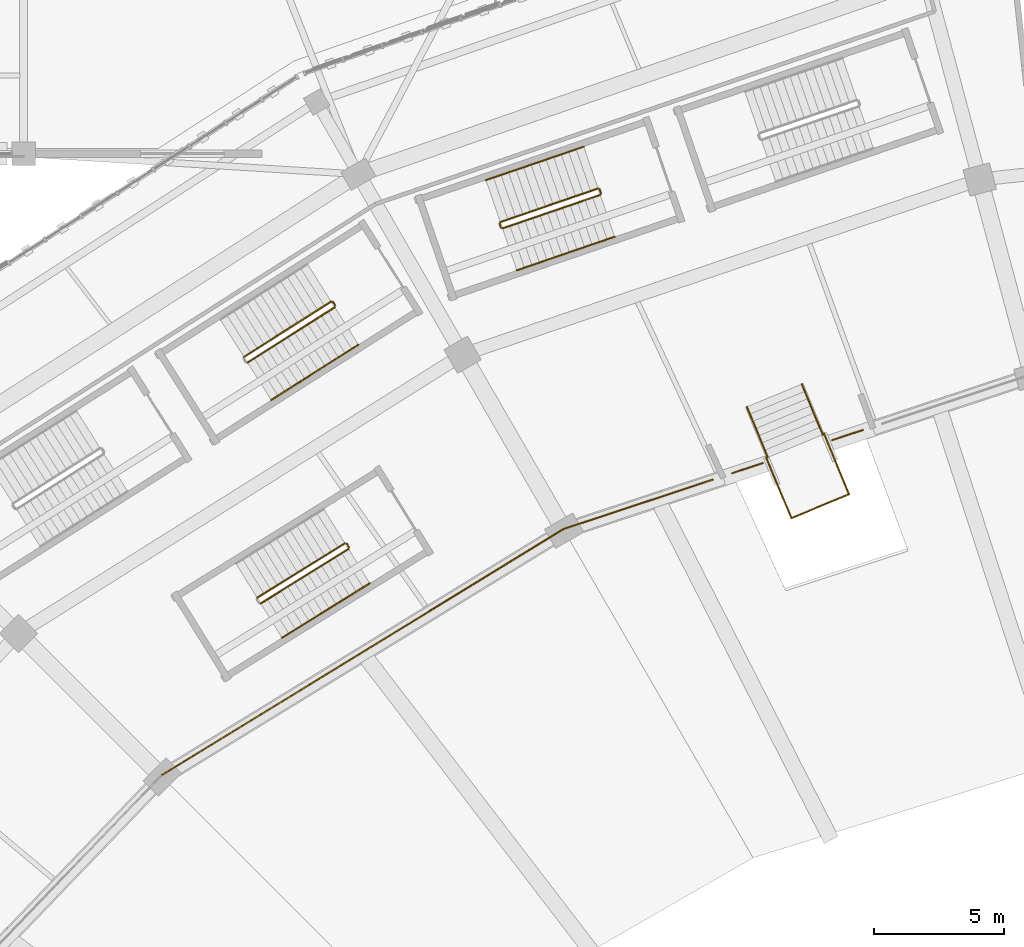
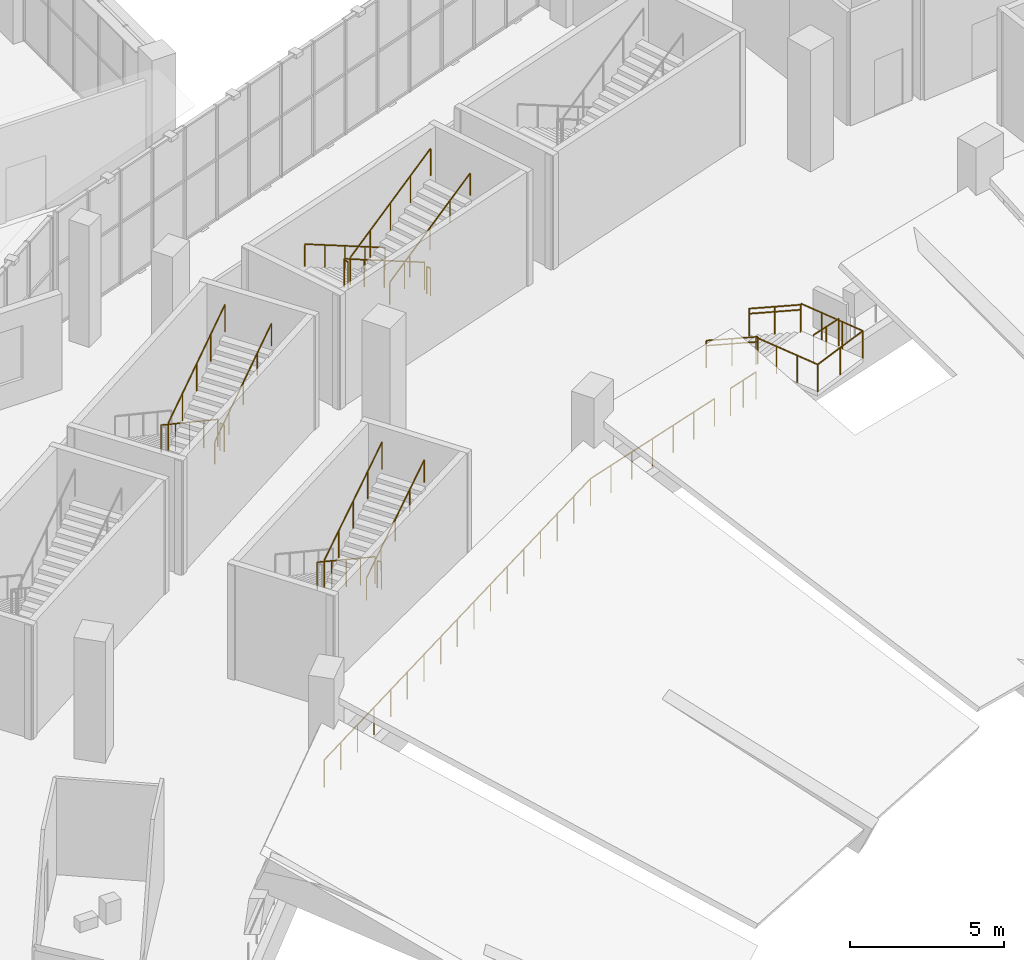
# One storey, part 165 of 183: 25 railings.
"""IFC4 building model written with IfcOpenShell, lengths in metres."""

from ifc_helpers import new_model, si_unit, direction, frame, origin, origin_2d, place, context, subcontext, project, spatial, circle, extrude, material, type_object, element, save


model = new_model("IFC4")

# Units and contexts
model_context = context("Model", 3, precision=1e-05, world=origin(), true_north=direction((0.0, 1.0)))
body_context = subcontext(model_context, "Body", "Model", "MODEL_VIEW")
ifc_project = project(units=[si_unit("LENGTHUNIT", "METRE"), si_unit("AREAUNIT", "SQUARE_METRE"), si_unit("VOLUMEUNIT", "CUBIC_METRE"), si_unit("PLANEANGLEUNIT", "RADIAN"), si_unit("MASSUNIT", "GRAM", prefix="KILO")], contexts=[model_context])

# Site, building, storey
site_placement = place(None, origin())
site = spatial("IfcSite", under=ifc_project, at=site_placement, CompositionType="ELEMENT")
building_placement = place(site_placement, origin())
building = spatial("IfcBuilding", under=site, at=building_placement, Name="Zevraka Park Crest Stadium", CompositionType="ELEMENT")
storey_placement = place(building_placement, frame((0.0, 0.0, 5.39990234375)))
storey = spatial("IfcBuildingStorey", under=building, at=storey_placement, Name="L01", CompositionType="ELEMENT", Elevation=5.39990234375)

# Railings
ifc_material_1 = material(Name="Galvanised and bronze-finished steel balustrade", Category="steel")
railing_type_1 = type_object("IfcRailingType", Name="GR01", PredefinedType="GUARDRAIL", material=ifc_material_1)
railing_1_placement = place(storey_placement, frame((86.214111328125, 147.39501953125, 0.0)))
element("IfcRailing", 1, at=railing_1_placement, inside=storey, type_object=railing_type_1, Name="Deck Edge Protection Guardrail GR01 L01-90", PredefinedType="GUARDRAIL", context=body_context, shape_type="SweptSolid", body=[
    extrude(circle(Radius=0.02392578125, at=origin_2d()), frame((0.0, 0.0, 1.076171875), z_axis=(-0.94950930185, -0.313738881397, 0.0), x_axis=(0.313738881397, -0.94950930185, 0.0)), (0.0, 0.0, 1.0), 1.236572265625),
    extrude(circle(Radius=0.02099609375, at=origin_2d()), origin(), (0.0, 0.0, 1.0), 1.052001953125),
    extrude(circle(Radius=0.02099609375, at=origin_2d()), frame((-0.5869140625, -0.19384765625, 0.0)), (0.0, 0.0, 1.0), 1.052001953125),
    extrude(circle(Radius=0.02099609375, at=origin_2d()), frame((-1.174072265625, -0.387939453125, 0.0)), (0.0, 0.0, 1.0), 1.052001953125),
])
railing_2_placement = place(storey_placement, frame((82.375, 146.125, 0.0)))
element("IfcRailing", 2, at=railing_2_placement, inside=storey, type_object=railing_type_1, Name="Deck Edge Protection Guardrail GR01 L01-91", PredefinedType="GUARDRAIL", context=body_context, shape_type="SweptSolid", body=[
    extrude(circle(Radius=0.02392578125, at=origin_2d()), frame((0.0, 0.0, 1.076171875), z_axis=(-0.94943147493, -0.313974321262, 0.0), x_axis=(0.313974321262, -0.94943147493, 0.0)), (0.0, 0.0, 1.0), 1.235595703125),
    extrude(circle(Radius=0.02099609375, at=origin_2d()), origin(), (0.0, 0.0, 1.0), 1.052001953125),
    extrude(circle(Radius=0.02099609375, at=origin_2d()), frame((-0.58642578125, -0.19384765625, 0.0)), (0.0, 0.0, 1.0), 1.052001953125),
    extrude(circle(Radius=0.02099609375, at=origin_2d()), frame((-1.173095703125, -0.387939453125, 0.0)), (0.0, 0.0, 1.0), 1.052001953125),
])
railing_3_placement = place(storey_placement, frame((80.45703125, 145.490966796875, 0.0)))
element("IfcRailing", 3, at=railing_3_placement, inside=storey, type_object=railing_type_1, Name="Deck Edge Protection Guardrail GR01 L01-92", PredefinedType="GUARDRAIL", context=body_context, shape_type="SweptSolid", body=[
    extrude(circle(Radius=0.02392578125, at=origin_2d()), frame((0.0, 0.0, 1.076171875), z_axis=(-0.949242415269, -0.314545445134, 0.0), x_axis=(0.314545445134, -0.949242415269, 0.0)), (0.0, 0.0, 1.0), 6.053466796875),
    extrude(circle(Radius=0.02099609375, at=origin_2d()), origin(), (0.0, 0.0, 1.0), 1.052001953125),
    extrude(circle(Radius=0.02099609375, at=origin_2d()), frame((-0.957763671875, -0.3173828125, 0.0)), (0.0, 0.0, 1.0), 1.052001953125),
    extrude(circle(Radius=0.02099609375, at=origin_2d()), frame((-1.915283203125, -0.634765625, 0.0)), (0.0, 0.0, 1.0), 1.052001953125),
    extrude(circle(Radius=0.02099609375, at=origin_2d()), frame((-2.873046875, -0.9521484375, 0.0)), (0.0, 0.0, 1.0), 1.052001953125),
    extrude(circle(Radius=0.02099609375, at=origin_2d()), frame((-3.830810546875, -1.269287109375, 0.0)), (0.0, 0.0, 1.0), 1.052001953125),
    extrude(circle(Radius=0.02099609375, at=origin_2d()), frame((-4.788330078125, -1.586669921875, 0.0)), (0.0, 0.0, 1.0), 1.052001953125),
    extrude(circle(Radius=0.02099609375, at=origin_2d()), frame((-5.74609375, -1.904052734375, 0.0)), (0.0, 0.0, 1.0), 1.052001953125),
])
railing_4_placement = place(storey_placement, frame((74.7109375, 143.5869140625, 0.0)))
element("IfcRailing", 4, at=railing_4_placement, inside=storey, type_object=railing_type_1, Name="Deck Edge Protection Guardrail GR01 L01-93", PredefinedType="GUARDRAIL", context=body_context, shape_type="SweptSolid", body=[
    extrude(circle(Radius=0.02392578125, at=origin_2d()), frame((0.0, 0.0, 1.076171875), z_axis=(-0.852607262071, -0.522552252569, 0.0), x_axis=(0.522552252569, -0.852607262071, 0.0)), (0.0, 0.0, 1.0), 18.099609375),
    extrude(circle(Radius=0.02099609375, at=origin_2d()), origin(), (0.0, 0.0, 1.0), 1.052001953125),
    extrude(circle(Radius=0.02099609375, at=origin_2d()), frame((-0.964599609375, -0.591064453125, 0.0)), (0.0, 0.0, 1.0), 1.052001953125),
    extrude(circle(Radius=0.02099609375, at=origin_2d()), frame((-1.928955078125, -1.18212890625, 0.0)), (0.0, 0.0, 1.0), 1.052001953125),
    extrude(circle(Radius=0.02099609375, at=origin_2d()), frame((-2.8935546875, -1.7734375, 0.0)), (0.0, 0.0, 1.0), 1.052001953125),
    extrude(circle(Radius=0.02099609375, at=origin_2d()), frame((-3.85791015625, -2.364501953125, 0.0)), (0.0, 0.0, 1.0), 1.052001953125),
    extrude(circle(Radius=0.02099609375, at=origin_2d()), frame((-4.822509765625, -2.95556640625, 0.0)), (0.0, 0.0, 1.0), 1.052001953125),
    extrude(circle(Radius=0.02099609375, at=origin_2d()), frame((-5.786865234375, -3.546875, 0.0)), (0.0, 0.0, 1.0), 1.052001953125),
    extrude(circle(Radius=0.02099609375, at=origin_2d()), frame((-6.75146484375, -4.137939453125, 0.0)), (0.0, 0.0, 1.0), 1.052001953125),
    extrude(circle(Radius=0.02099609375, at=origin_2d()), frame((-7.7158203125, -4.72900390625, 0.0)), (0.0, 0.0, 1.0), 1.052001953125),
    extrude(circle(Radius=0.02099609375, at=origin_2d()), frame((-8.680419921875, -5.320068359375, 0.0)), (0.0, 0.0, 1.0), 1.052001953125),
    extrude(circle(Radius=0.02099609375, at=origin_2d()), frame((-9.64501953125, -5.9111328125, 0.0)), (0.0, 0.0, 1.0), 1.052001953125),
    extrude(circle(Radius=0.02099609375, at=origin_2d()), frame((-10.609375, -6.50244140625, 0.0)), (0.0, 0.0, 1.0), 1.052001953125),
    extrude(circle(Radius=0.02099609375, at=origin_2d()), frame((-11.573974609375, -7.093505859375, 0.0)), (0.0, 0.0, 1.0), 1.052001953125),
    extrude(circle(Radius=0.02099609375, at=origin_2d()), frame((-12.538330078125, -7.6845703125, 0.0)), (0.0, 0.0, 1.0), 1.052001953125),
    extrude(circle(Radius=0.02099609375, at=origin_2d()), frame((-13.5029296875, -8.27587890625, 0.0)), (0.0, 0.0, 1.0), 1.052001953125),
    extrude(circle(Radius=0.02099609375, at=origin_2d()), frame((-14.46728515625, -8.866943359375, 0.0)), (0.0, 0.0, 1.0), 1.052001953125),
    extrude(circle(Radius=0.02099609375, at=origin_2d()), frame((-15.431884765625, -9.4580078125, 0.0)), (0.0, 0.0, 1.0), 1.052001953125),
])
ifc_material_2 = material(Name="Powder-coated tubular steel stairwell guard", Category="steel")
railing_type_2 = type_object("IfcRailingType", Name="GR03", PredefinedType="GUARDRAIL", material=ifc_material_2)
railing_5_placement = place(storey_placement, frame((65.805419921875, 152.324951171875, 0.171630859375)))
element("IfcRailing", 5, at=railing_5_placement, inside=storey, type_object=railing_type_2, Name="L01 ST09 stair guard 1", PredefinedType="GUARDRAIL", context=body_context, shape_type="SweptSolid", body=[
    extrude(circle(Radius=0.02392578125, at=origin_2d()), frame((0.0, 0.0, 1.076171875), z_axis=(-0.736092217986, -0.467002282249, 0.489976647398), x_axis=(0.535715535947, -0.844398522349, 0.0)), (0.0, 0.0, 1.0), 4.548095703125),
    extrude(circle(Radius=0.02099609375, at=origin_2d()), origin(), (0.0, 0.0, 1.0), 1.052001953125),
    extrude(circle(Radius=0.02099609375, at=origin_2d()), frame((-0.8369140625, -0.531005859375, 0.55712890625)), (0.0, 0.0, 1.0), 1.052001953125),
    extrude(circle(Radius=0.02099609375, at=origin_2d()), frame((-1.673828125, -1.06201171875, 1.1142578125)), (0.0, 0.0, 1.0), 1.052001953125),
    extrude(circle(Radius=0.02099609375, at=origin_2d()), frame((-2.510986328125, -1.593017578125, 1.67138671875)), (0.0, 0.0, 1.0), 1.052001953125),
    extrude(circle(Radius=0.02099609375, at=origin_2d()), frame((-3.347900390625, -2.1240234375, 2.228515625)), (0.0, 0.0, 1.0), 1.052001953125),
])
railing_6_placement = place(storey_placement, frame((62.5966796875, 149.9814453125, 2.571533203125)))
element("IfcRailing", 6, at=railing_6_placement, inside=storey, type_object=railing_type_2, Name="L01 ST09 stair guard 3", PredefinedType="GUARDRAIL", context=body_context, shape_type="SweptSolid", body=[
    extrude(circle(Radius=0.02392578125, at=origin_2d()), frame((0.0, 0.0, 1.076171875), z_axis=(0.736116810277, 0.466983830349, 0.48995728775), x_axis=(-0.535687682518, 0.84441619288, 0.0)), (0.0, 0.0, 1.0), 4.54833984375),
    extrude(circle(Radius=0.02099609375, at=origin_2d()), origin(), (0.0, 0.0, 1.0), 1.052001953125),
    extrude(circle(Radius=0.02099609375, at=origin_2d()), frame((0.8369140625, 0.531005859375, 0.55712890625)), (0.0, 0.0, 1.0), 1.052001953125),
    extrude(circle(Radius=0.02099609375, at=origin_2d()), frame((1.674072265625, 1.06201171875, 1.1142578125)), (0.0, 0.0, 1.0), 1.052001953125),
    extrude(circle(Radius=0.02099609375, at=origin_2d()), frame((2.51123046875, 1.593017578125, 1.67138671875)), (0.0, 0.0, 1.0), 1.052001953125),
    extrude(circle(Radius=0.02099609375, at=origin_2d()), frame((3.34814453125, 2.1240234375, 2.228515625)), (0.0, 0.0, 1.0), 1.052001953125),
])
railing_7_placement = place(storey_placement, frame((65.87451171875, 152.3095703125, 0.0)))
element("IfcRailing", 7, at=railing_7_placement, inside=storey, type_object=railing_type_2, Name="L01 ST09 stair guard 4", PredefinedType="GUARDRAIL", context=body_context, shape_type="SweptSolid", body=[
    extrude(circle(Radius=0.02392578125, at=origin_2d()), frame((0.0, 0.0, 1.076171875), z_axis=(0.535887230789, -0.844289568736, 0.0), x_axis=(0.844289568736, 0.535887230789, 0.0)), (0.0, 0.0, 1.0), 0.159912109375),
    extrude(circle(Radius=0.02099609375, at=origin_2d()), origin(), (0.0, 0.0, 1.0), 1.052001953125),
    extrude(circle(Radius=0.02099609375, at=origin_2d()), frame((0.085693359375, -0.135009765625, 0.0)), (0.0, 0.0, 1.0), 1.052001953125),
])
railing_8_placement = place(storey_placement, frame((76.0498046875, 156.662353515625, 0.171630859375)))
element("IfcRailing", 8, at=railing_8_placement, inside=storey, type_object=railing_type_2, Name="L01 ST27 stair guard 1", PredefinedType="GUARDRAIL", context=body_context, shape_type="SweptSolid", body=[
    extrude(circle(Radius=0.02392578125, at=origin_2d()), frame((0.0, 0.0, 1.076171875), z_axis=(-0.824739296281, -0.282392023283, 0.489959017016), x_axis=(0.323938619155, -0.946078099852, 0.0)), (0.0, 0.0, 1.0), 4.54833984375),
    extrude(circle(Radius=0.02099609375, at=origin_2d()), origin(), (0.0, 0.0, 1.0), 1.052001953125),
    extrude(circle(Radius=0.02099609375, at=origin_2d()), frame((-0.937744140625, -0.321044921875, 0.55712890625)), (0.0, 0.0, 1.0), 1.052001953125),
    extrude(circle(Radius=0.02099609375, at=origin_2d()), frame((-1.87548828125, -0.64208984375, 1.1142578125)), (0.0, 0.0, 1.0), 1.052001953125),
    extrude(circle(Radius=0.02099609375, at=origin_2d()), frame((-2.8134765625, -0.96337890625, 1.67138671875)), (0.0, 0.0, 1.0), 1.052001953125),
    extrude(circle(Radius=0.02099609375, at=origin_2d()), frame((-3.751220703125, -1.284423828125, 2.228515625)), (0.0, 0.0, 1.0), 1.052001953125),
])
railing_9_placement = place(storey_placement, frame((72.267578125, 155.314453125, 2.400146484375)))
element("IfcRailing", 9, at=railing_9_placement, inside=storey, type_object=railing_type_2, Name="L01 ST27 stair guard 2", PredefinedType="GUARDRAIL", context=body_context, shape_type="SweptSolid", body=[
    extrude(circle(Radius=0.02392578125, at=origin_2d()), frame((0.0, 0.0, 1.076171875), z_axis=(0.32354385955, -0.946213174156, 0.0), x_axis=(0.946213174156, 0.32354385955, 0.0)), (0.0, 0.0, 1.0), 0.159912109375),
    extrude(circle(Radius=0.02099609375, at=origin_2d()), origin(), (0.0, 0.0, 1.0), 1.052001953125),
    extrude(circle(Radius=0.02099609375, at=origin_2d()), frame((0.0517578125, -0.1513671875, 0.0)), (0.0, 0.0, 1.0), 1.052001953125),
])
railing_10_placement = place(storey_placement, frame((72.3828125, 155.1318359375, 2.571533203125)))
element("IfcRailing", 10, at=railing_10_placement, inside=storey, type_object=railing_type_2, Name="L01 ST27 stair guard 3", PredefinedType="GUARDRAIL", context=body_context, shape_type="SweptSolid", body=[
    extrude(circle(Radius=0.02392578125, at=origin_2d()), frame((0.0, 0.0, 1.076171875), z_axis=(0.824726794133, 0.282441418206, 0.489951589772), x_axis=(-0.32399372979, 0.946059228091, 0.0)), (0.0, 0.0, 1.0), 4.54833984375),
    extrude(circle(Radius=0.02099609375, at=origin_2d()), origin(), (0.0, 0.0, 1.0), 1.052001953125),
    extrude(circle(Radius=0.02099609375, at=origin_2d()), frame((0.937744140625, 0.3212890625, 0.55712890625)), (0.0, 0.0, 1.0), 1.052001953125),
    extrude(circle(Radius=0.02099609375, at=origin_2d()), frame((1.87548828125, 0.642333984375, 1.1142578125)), (0.0, 0.0, 1.0), 1.052001953125),
    extrude(circle(Radius=0.02099609375, at=origin_2d()), frame((2.8134765625, 0.96337890625, 1.67138671875)), (0.0, 0.0, 1.0), 1.052001953125),
    extrude(circle(Radius=0.02099609375, at=origin_2d()), frame((3.751220703125, 1.28466796875, 2.228515625)), (0.0, 0.0, 1.0), 1.052001953125),
])
railing_11_placement = place(storey_placement, frame((76.11328125, 156.63134765625, 0.0)))
element("IfcRailing", 11, at=railing_11_placement, inside=storey, type_object=railing_type_2, Name="L01 ST27 stair guard 4", PredefinedType="GUARDRAIL", context=body_context, shape_type="SweptSolid", body=[
    extrude(circle(Radius=0.02392578125, at=origin_2d()), frame((0.0, 0.0, 1.076171875), z_axis=(0.32354385955, -0.946213174156, 0.0), x_axis=(0.946213174156, 0.32354385955, 0.0)), (0.0, 0.0, 1.0), 0.159912109375),
    extrude(circle(Radius=0.02099609375, at=origin_2d()), origin(), (0.0, 0.0, 1.0), 1.052001953125),
    extrude(circle(Radius=0.02099609375, at=origin_2d()), frame((0.0517578125, -0.1513671875, 0.0)), (0.0, 0.0, 1.0), 1.052001953125),
])
railing_12_placement = place(storey_placement, frame((66.333984375, 143.047607421875, 0.171630859375)))
element("IfcRailing", 12, at=railing_12_placement, inside=storey, type_object=railing_type_2, Name="L01 ST37 stair guard 1", PredefinedType="GUARDRAIL", context=body_context, shape_type="SweptSolid", body=[
    extrude(circle(Radius=0.02392578125, at=origin_2d()), frame((0.0, 0.0, 1.076171875), z_axis=(-0.740731720597, -0.459629400252, 0.489956459827), x_axis=(0.527250968468, -0.849709607013, 0.0)), (0.0, 0.0, 1.0), 4.54833984375),
    extrude(circle(Radius=0.02099609375, at=origin_2d()), origin(), (0.0, 0.0, 1.0), 1.052001953125),
    extrude(circle(Radius=0.02099609375, at=origin_2d()), frame((-0.84228515625, -0.522705078125, 0.55712890625)), (0.0, 0.0, 1.0), 1.052001953125),
    extrude(circle(Radius=0.02099609375, at=origin_2d()), frame((-1.6845703125, -1.04541015625, 1.1142578125)), (0.0, 0.0, 1.0), 1.052001953125),
    extrude(circle(Radius=0.02099609375, at=origin_2d()), frame((-2.52685546875, -1.56787109375, 1.67138671875)), (0.0, 0.0, 1.0), 1.052001953125),
    extrude(circle(Radius=0.02099609375, at=origin_2d()), frame((-3.369140625, -2.090576171875, 2.228515625)), (0.0, 0.0, 1.0), 1.052001953125),
])
railing_13_placement = place(storey_placement, frame((63.10205078125, 140.736083984375, 2.571533203125)))
element("IfcRailing", 13, at=railing_13_placement, inside=storey, type_object=railing_type_2, Name="L01 ST37 stair guard 3", PredefinedType="GUARDRAIL", context=body_context, shape_type="SweptSolid", body=[
    extrude(circle(Radius=0.02392578125, at=origin_2d()), frame((0.0, 0.0, 1.076171875), z_axis=(0.740707494191, 0.459647675394, 0.489975940791), x_axis=(-0.527278555037, 0.849692488726, 0.0)), (0.0, 0.0, 1.0), 4.548095703125),
    extrude(circle(Radius=0.02099609375, at=origin_2d()), origin(), (0.0, 0.0, 1.0), 1.052001953125),
    extrude(circle(Radius=0.02099609375, at=origin_2d()), frame((0.84228515625, 0.522705078125, 0.55712890625)), (0.0, 0.0, 1.0), 1.052001953125),
    extrude(circle(Radius=0.02099609375, at=origin_2d()), frame((1.6845703125, 1.04541015625, 1.1142578125)), (0.0, 0.0, 1.0), 1.052001953125),
    extrude(circle(Radius=0.02099609375, at=origin_2d()), frame((2.526611328125, 1.56787109375, 1.67138671875)), (0.0, 0.0, 1.0), 1.052001953125),
    extrude(circle(Radius=0.02099609375, at=origin_2d()), frame((3.368896484375, 2.090576171875, 2.228515625)), (0.0, 0.0, 1.0), 1.052001953125),
])
railing_14_placement = place(storey_placement, frame((66.40283203125, 143.031494140625, 0.0)))
element("IfcRailing", 14, at=railing_14_placement, inside=storey, type_object=railing_type_2, Name="L01 ST37 stair guard 4", PredefinedType="GUARDRAIL", context=body_context, shape_type="SweptSolid", body=[
    extrude(circle(Radius=0.02392578125, at=origin_2d()), frame((0.0, 0.0, 1.076171875), z_axis=(0.526564774069, -0.850135012048, 0.0), x_axis=(0.850135012048, 0.526564774069, 0.0)), (0.0, 0.0, 1.0), 0.159912109375),
    extrude(circle(Radius=0.02099609375, at=origin_2d()), origin(), (0.0, 0.0, 1.0), 1.052001953125),
    extrude(circle(Radius=0.02099609375, at=origin_2d()), frame((0.084228515625, -0.135986328125, 0.0)), (0.0, 0.0, 1.0), 1.052001953125),
])
railing_15_placement = place(storey_placement, frame((81.762939453125, 148.281982421875, 0.150146484375)))
element("IfcRailing", 15, at=railing_15_placement, inside=storey, type_object=railing_type_2, Name="Vomitory Flight Guard VS-03-1", PredefinedType="GUARDRAIL", context=body_context, shape_type="SweptSolid", body=[
    extrude(circle(Radius=0.02392578125, at=origin_2d()), frame((0.0, 0.0, 1.076171875), z_axis=(0.342057079019, -0.826386606837, 0.447305411025), x_axis=(0.923975744762, 0.382451072807, 0.0)), (0.0, 0.0, 1.0), 2.347412109375),
    extrude(circle(Radius=0.02099609375, at=origin_2d()), origin(), (0.0, 0.0, 1.0), 1.052001953125),
    extrude(circle(Radius=0.02099609375, at=origin_2d()), frame((0.4013671875, -0.969970703125, 0.52490234375)), (0.0, 0.0, 1.0), 1.052001953125),
    extrude(circle(Radius=0.02099609375, at=origin_2d()), frame((0.802978515625, -1.93994140625, 1.050048828125)), (0.0, 0.0, 1.0), 1.052001953125),
])
railing_16_placement = place(storey_placement, frame((83.868896484375, 149.154052734375, 0.150146484375)))
element("IfcRailing", 16, at=railing_16_placement, inside=storey, type_object=railing_type_2, Name="Vomitory Flight Guard VS-03-2", PredefinedType="GUARDRAIL", context=body_context, shape_type="SweptSolid", body=[
    extrude(circle(Radius=0.02392578125, at=origin_2d()), frame((0.0, 0.0, 1.076171875), z_axis=(0.342516116352, -0.826239544789, 0.447225809481), x_axis=(0.92377020137, 0.382947274517, 0.0)), (0.0, 0.0, 1.0), 2.347900390625),
    extrude(circle(Radius=0.02099609375, at=origin_2d()), origin(), (0.0, 0.0, 1.0), 1.052001953125),
    extrude(circle(Radius=0.02099609375, at=origin_2d()), frame((0.402099609375, -0.969970703125, 0.52490234375)), (0.0, 0.0, 1.0), 1.052001953125),
    extrude(circle(Radius=0.02099609375, at=origin_2d()), frame((0.80419921875, -1.93994140625, 1.050048828125)), (0.0, 0.0, 1.0), 1.052001953125),
])
railing_17_placement = place(storey_placement, frame((82.5009765625, 146.342041015625, 1.2001953125)))
element("IfcRailing", 17, at=railing_17_placement, inside=storey, type_object=railing_type_2, Name="Vomitory Landing Guard VS-03-1", PredefinedType="GUARDRAIL", context=body_context, shape_type="SweptSolid", body=[
    extrude(circle(Radius=0.02392578125, at=origin_2d()), frame((0.0, 0.0, 1.076171875), z_axis=(0.382912412057, -0.923784652769, 0.0), x_axis=(0.923784652769, 0.382912412057, 0.0)), (0.0, 0.0, 1.0), 2.525390625),
    extrude(circle(Radius=0.02099609375, at=origin_2d()), origin(), (0.0, 0.0, 1.0), 1.052001953125),
    extrude(circle(Radius=0.02099609375, at=origin_2d()), frame((0.322265625, -0.777587890625, 0.0)), (0.0, 0.0, 1.0), 1.052001953125),
    extrude(circle(Radius=0.02099609375, at=origin_2d()), frame((0.644775390625, -1.555419921875, 0.0)), (0.0, 0.0, 1.0), 1.052001953125),
    extrude(circle(Radius=0.02099609375, at=origin_2d()), frame((0.967041015625, -2.3330078125, 0.0)), (0.0, 0.0, 1.0), 1.052001953125),
])
railing_18_placement = place(storey_placement, frame((83.468017578125, 144.009033203125, 1.2001953125)))
element("IfcRailing", 18, at=railing_18_placement, inside=storey, type_object=railing_type_2, Name="Vomitory Landing Guard VS-03-2", PredefinedType="GUARDRAIL", context=body_context, shape_type="SweptSolid", body=[
    extrude(circle(Radius=0.02392578125, at=origin_2d()), frame((0.0, 0.0, 1.076171875), z_axis=(0.923932522988, 0.382555476978, 0.0), x_axis=(-0.382555476978, 0.923932522988, 0.0)), (0.0, 0.0, 1.0), 2.399658203125),
    extrude(circle(Radius=0.02099609375, at=origin_2d()), origin(), (0.0, 0.0, 1.0), 1.052001953125),
    extrude(circle(Radius=0.02099609375, at=origin_2d()), frame((1.1083984375, 0.458984375, 0.0)), (0.0, 0.0, 1.0), 1.052001953125),
    extrude(circle(Radius=0.02099609375, at=origin_2d()), frame((2.217041015625, 0.91796875, 0.0)), (0.0, 0.0, 1.0), 1.052001953125),
])
railing_19_placement = place(storey_placement, frame((85.68505859375, 144.927001953125, 1.2001953125)))
element("IfcRailing", 19, at=railing_19_placement, inside=storey, type_object=railing_type_2, Name="Vomitory Landing Guard VS-03-3", PredefinedType="GUARDRAIL", context=body_context, shape_type="SweptSolid", body=[
    extrude(circle(Radius=0.02392578125, at=origin_2d()), frame((0.0, 0.0, 1.076171875), z_axis=(-0.382582352346, 0.923921394748, 0.0), x_axis=(-0.923921394748, -0.382582352346, 0.0)), (0.0, 0.0, 1.0), 2.525146484375),
    extrude(circle(Radius=0.02099609375, at=origin_2d()), origin(), (0.0, 0.0, 1.0), 1.052001953125),
    extrude(circle(Radius=0.02099609375, at=origin_2d()), frame((-0.322021484375, 0.777587890625, 0.0)), (0.0, 0.0, 1.0), 1.052001953125),
    extrude(circle(Radius=0.02099609375, at=origin_2d()), frame((-0.64404296875, 1.555419921875, 0.0)), (0.0, 0.0, 1.0), 1.052001953125),
    extrude(circle(Radius=0.02099609375, at=origin_2d()), frame((-0.966064453125, 2.3330078125, 0.0)), (0.0, 0.0, 1.0), 1.052001953125),
])
ifc_material_3 = material(Name="Brushed stainless steel continuous handrail", Category="steel")
railing_type_3 = type_object("IfcRailingType", Name="HR01", PredefinedType="HANDRAIL", material=ifc_material_3)
railing_20_placement = place(storey_placement, frame((63.507568359375, 148.5458984375, 2.571533203125)))
element("IfcRailing", 20, at=railing_20_placement, inside=storey, type_object=railing_type_3, Name="L01 ST09 stair handrail 2", PredefinedType="HANDRAIL", context=body_context, shape_type="SweptSolid", body=[
    extrude(circle(Radius=0.02392578125, at=origin_2d()), frame((0.0, 0.0, 0.8759765625), z_axis=(0.736092217986, 0.467002282249, 0.489976647398), x_axis=(-0.535715535947, 0.844398522349, 0.0)), (0.0, 0.0, 1.0), 4.548095703125),
    extrude(circle(Radius=0.02099609375, at=origin_2d()), origin(), (0.0, 0.0, 1.0), 0.851806640625),
    extrude(circle(Radius=0.02099609375, at=origin_2d()), frame((0.8369140625, 0.531005859375, 0.55712890625)), (0.0, 0.0, 1.0), 0.851806640625),
    extrude(circle(Radius=0.02099609375, at=origin_2d()), frame((1.673828125, 1.06201171875, 1.1142578125)), (0.0, 0.0, 1.0), 0.851806640625),
    extrude(circle(Radius=0.02099609375, at=origin_2d()), frame((2.510986328125, 1.593017578125, 1.67138671875)), (0.0, 0.0, 1.0), 0.851806640625),
    extrude(circle(Radius=0.02099609375, at=origin_2d()), frame((3.347900390625, 2.1240234375, 2.228515625)), (0.0, 0.0, 1.0), 0.851806640625),
])
railing_21_placement = place(storey_placement, frame((75.4990234375, 158.270751953125, 0.171630859375)))
element("IfcRailing", 21, at=railing_21_placement, inside=storey, type_object=railing_type_3, Name="L01 ST27 stair handrail 1", PredefinedType="HANDRAIL", context=body_context, shape_type="SweptSolid", body=[
    extrude(circle(Radius=0.02392578125, at=origin_2d()), frame((0.0, 0.0, 0.8759765625), z_axis=(-0.824739296281, -0.282392023283, 0.489959017016), x_axis=(0.323938619155, -0.946078099852, 0.0)), (0.0, 0.0, 1.0), 4.54833984375),
    extrude(circle(Radius=0.02099609375, at=origin_2d()), origin(), (0.0, 0.0, 1.0), 0.851806640625),
    extrude(circle(Radius=0.02099609375, at=origin_2d()), frame((-0.937744140625, -0.321044921875, 0.55712890625)), (0.0, 0.0, 1.0), 0.851806640625),
    extrude(circle(Radius=0.02099609375, at=origin_2d()), frame((-1.87548828125, -0.64208984375, 1.1142578125)), (0.0, 0.0, 1.0), 0.851806640625),
    extrude(circle(Radius=0.02099609375, at=origin_2d()), frame((-2.8134765625, -0.96337890625, 1.67138671875)), (0.0, 0.0, 1.0), 0.851806640625),
    extrude(circle(Radius=0.02099609375, at=origin_2d()), frame((-3.751220703125, -1.284423828125, 2.228515625)), (0.0, 0.0, 1.0), 0.851806640625),
])
railing_22_placement = place(storey_placement, frame((72.93359375, 153.523681640625, 2.571533203125)))
element("IfcRailing", 22, at=railing_22_placement, inside=storey, type_object=railing_type_3, Name="L01 ST27 stair handrail 2", PredefinedType="HANDRAIL", context=body_context, shape_type="SweptSolid", body=[
    extrude(circle(Radius=0.02392578125, at=origin_2d()), frame((0.0, 0.0, 0.8759765625), z_axis=(0.824739296281, 0.282392023283, 0.489959017016), x_axis=(-0.323938619155, 0.946078099852, 0.0)), (0.0, 0.0, 1.0), 4.54833984375),
    extrude(circle(Radius=0.02099609375, at=origin_2d()), origin(), (0.0, 0.0, 1.0), 0.851806640625),
    extrude(circle(Radius=0.02099609375, at=origin_2d()), frame((0.937744140625, 0.321044921875, 0.55712890625)), (0.0, 0.0, 1.0), 0.851806640625),
    extrude(circle(Radius=0.02099609375, at=origin_2d()), frame((1.87548828125, 0.64208984375, 1.1142578125)), (0.0, 0.0, 1.0), 0.851806640625),
    extrude(circle(Radius=0.02099609375, at=origin_2d()), frame((2.8134765625, 0.96337890625, 1.67138671875)), (0.0, 0.0, 1.0), 0.851806640625),
    extrude(circle(Radius=0.02099609375, at=origin_2d()), frame((3.751220703125, 1.284423828125, 2.228515625)), (0.0, 0.0, 1.0), 0.851806640625),
])
railing_23_placement = place(storey_placement, frame((63.919189453125, 139.4189453125, 2.571533203125)))
element("IfcRailing", 23, at=railing_23_placement, inside=storey, type_object=railing_type_3, Name="L01 ST37 stair handrail 2", PredefinedType="HANDRAIL", context=body_context, shape_type="SweptSolid", body=[
    extrude(circle(Radius=0.02392578125, at=origin_2d()), frame((0.0, 0.0, 0.8759765625), z_axis=(0.740713445492, 0.459671735304, 0.489944371772), x_axis=(-0.527295422519, 0.849682021341, 0.0)), (0.0, 0.0, 1.0), 4.548583984375),
    extrude(circle(Radius=0.02099609375, at=origin_2d()), origin(), (0.0, 0.0, 1.0), 0.851806640625),
    extrude(circle(Radius=0.02099609375, at=origin_2d()), frame((0.84228515625, 0.522705078125, 0.55712890625)), (0.0, 0.0, 1.0), 0.851806640625),
    extrude(circle(Radius=0.02099609375, at=origin_2d()), frame((1.6845703125, 1.04541015625, 1.1142578125)), (0.0, 0.0, 1.0), 0.851806640625),
    extrude(circle(Radius=0.02099609375, at=origin_2d()), frame((2.52685546875, 1.568115234375, 1.67138671875)), (0.0, 0.0, 1.0), 0.851806640625),
    extrude(circle(Radius=0.02099609375, at=origin_2d()), frame((3.369140625, 2.0908203125, 2.228515625)), (0.0, 0.0, 1.0), 0.851806640625),
])
railing_24_placement = place(storey_placement, frame((81.762939453125, 148.281982421875, 0.150146484375)))
element("IfcRailing", 24, at=railing_24_placement, inside=storey, type_object=railing_type_3, Name="Vomitory Handrail VS-03-1", PredefinedType="HANDRAIL", context=body_context, shape_type="SweptSolid", body=[
    extrude(circle(Radius=0.02392578125, at=origin_2d()), frame((0.0, 0.0, 0.8759765625), z_axis=(0.342057079019, -0.826386606837, 0.447305411025), x_axis=(0.923975744762, 0.382451072807, 0.0)), (0.0, 0.0, 1.0), 2.347412109375),
    extrude(circle(Radius=0.02099609375, at=origin_2d()), origin(), (0.0, 0.0, 1.0), 0.851806640625),
    extrude(circle(Radius=0.02099609375, at=origin_2d()), frame((0.4013671875, -0.969970703125, 0.52490234375)), (0.0, 0.0, 1.0), 0.851806640625),
    extrude(circle(Radius=0.02099609375, at=origin_2d()), frame((0.802978515625, -1.93994140625, 1.050048828125)), (0.0, 0.0, 1.0), 0.851806640625),
])
railing_25_placement = place(storey_placement, frame((83.868896484375, 149.154052734375, 0.150146484375)))
element("IfcRailing", 25, at=railing_25_placement, inside=storey, type_object=railing_type_3, Name="Vomitory Handrail VS-03-2", PredefinedType="HANDRAIL", context=body_context, shape_type="SweptSolid", body=[
    extrude(circle(Radius=0.02392578125, at=origin_2d()), frame((0.0, 0.0, 0.8759765625), z_axis=(0.342516116352, -0.826239544789, 0.447225809481), x_axis=(0.92377020137, 0.382947274517, 0.0)), (0.0, 0.0, 1.0), 2.347900390625),
    extrude(circle(Radius=0.02099609375, at=origin_2d()), origin(), (0.0, 0.0, 1.0), 0.851806640625),
    extrude(circle(Radius=0.02099609375, at=origin_2d()), frame((0.402099609375, -0.969970703125, 0.52490234375)), (0.0, 0.0, 1.0), 0.851806640625),
    extrude(circle(Radius=0.02099609375, at=origin_2d()), frame((0.80419921875, -1.93994140625, 1.050048828125)), (0.0, 0.0, 1.0), 0.851806640625),
])

save(model, "model.ifc")
